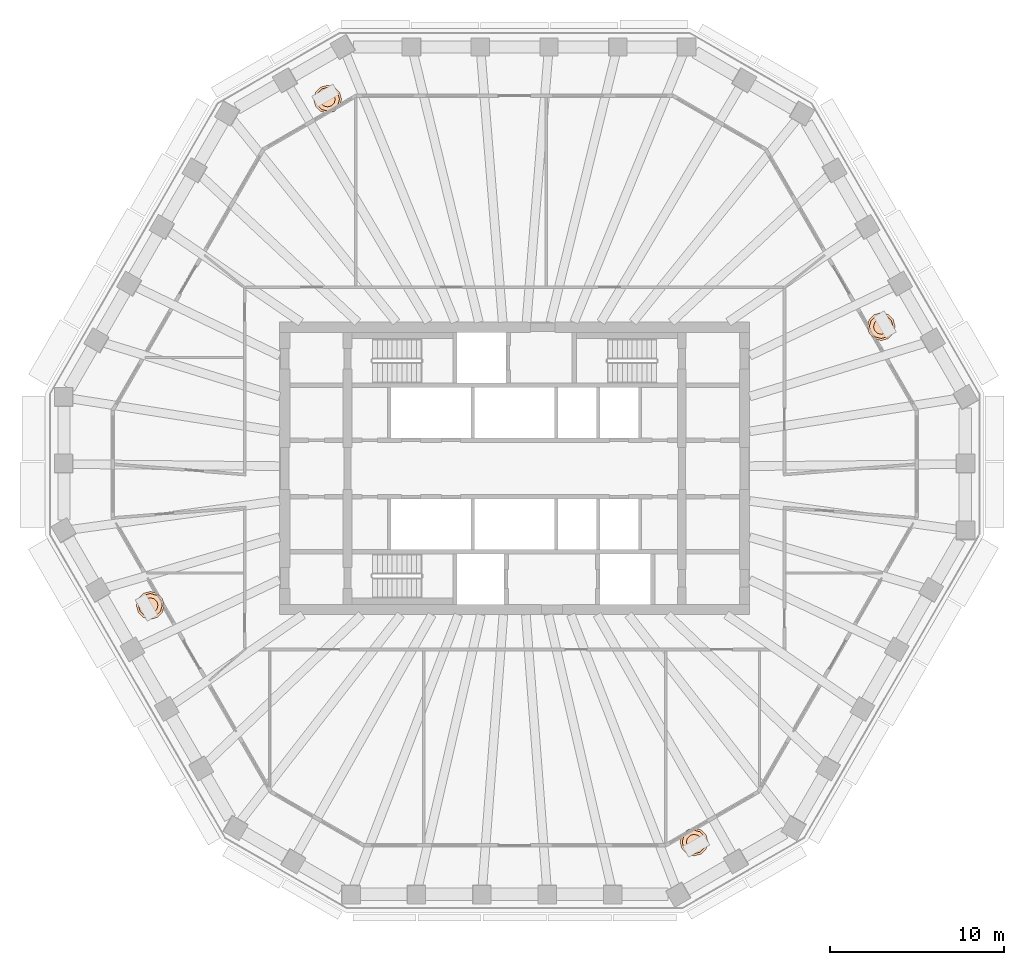
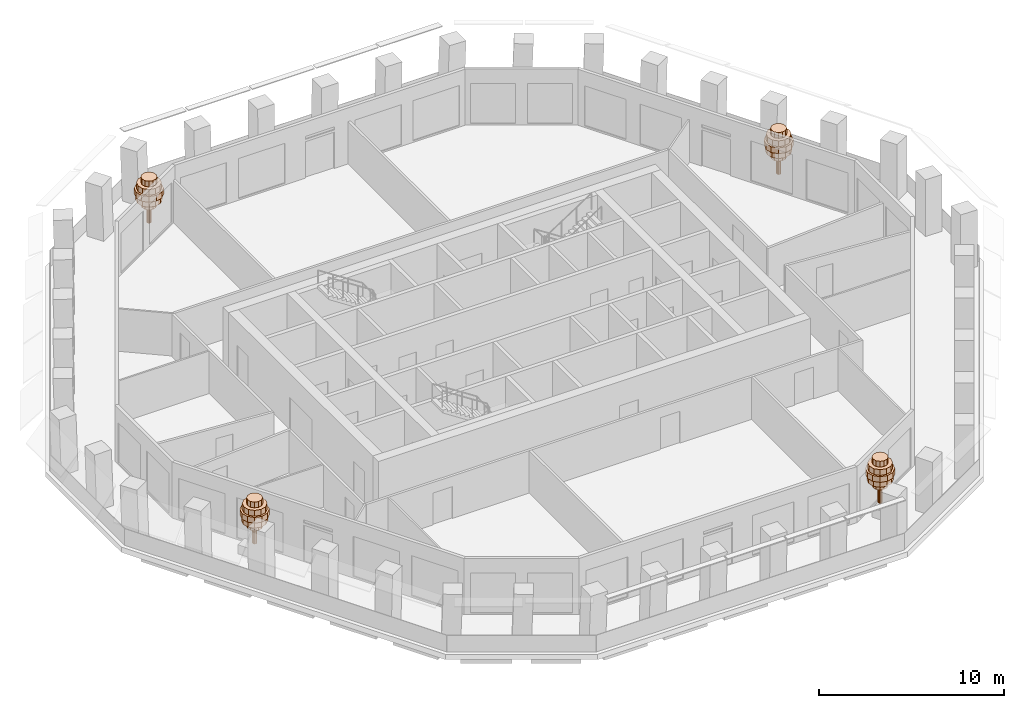
# One storey, part 12 of 12: 4 geographic elements.
"""IFC4 building model written with IfcOpenShell, lengths in metres."""

from ifc_helpers import new_model, si_unit, direction, frame, origin, place, context, subcontext, project, spatial, polyline, outline, extrude, material, type_object, element, save


model = new_model("IFC4")

# Units and contexts
model_context = context("Model", 3, precision=1e-05, world=origin(), true_north=direction((0.0, 1.0)))
body_context = subcontext(model_context, "Body", "Model", "MODEL_VIEW")
ifc_project = project(units=[si_unit("LENGTHUNIT", "METRE"), si_unit("AREAUNIT", "SQUARE_METRE"), si_unit("VOLUMEUNIT", "CUBIC_METRE"), si_unit("PLANEANGLEUNIT", "RADIAN"), si_unit("MASSUNIT", "GRAM", prefix="KILO")], contexts=[model_context])

# Site, building, storey
site_placement = place(None, origin())
site = spatial("IfcSite", under=ifc_project, at=site_placement, CompositionType="ELEMENT")
building_placement = place(site_placement, origin())
building = spatial("IfcBuilding", under=site, at=building_placement, Name="Frailejon Research Tower", CompositionType="ELEMENT")
storey_placement = place(building_placement, frame((0.0, 0.0, 219.39990234375)))
storey = spatial("IfcBuildingStorey", under=building, at=storey_placement, Name="L47", CompositionType="ELEMENT", Elevation=219.39990234375)

# Geographic elements
ifc_material = material(Name="Foliage, green")
geographic_element_type = type_object("IfcGeographicElementType", Name="Frailejon tree, loggia", PredefinedType="USERDEFINED", material=ifc_material)
geographic_element_1_placement = place(storey_placement, frame((21.050537109375, 8.142333984375, 0.60009765625)))
element("IfcGeographicElement", 1, at=geographic_element_1_placement, inside=storey, type_object=geographic_element_type, Name="Tree L47", ObjectType="TREE", PredefinedType="USERDEFINED", context=body_context, shape_type="SweptSolid", body=[
    extrude(outline(polyline([(0.1298828125, 0.0), (0.112548828125, 0.06494140625), (0.06494140625, 0.112548828125), (0.0, 0.1298828125), (-0.06494140625, 0.112548828125), (-0.112548828125, 0.06494140625), (-0.1298828125, 0.0), (-0.112548828125, -0.06494140625), (-0.06494140625, -0.112548828125), (0.0, -0.1298828125), (0.06494140625, -0.112548828125), (0.112548828125, -0.06494140625), (0.1298828125, 0.0)])), origin(), (0.0, 0.0, 1.0), 2.239990234375),
    extrude(outline(polyline([(0.43994140625, 0.0), (0.381103515625, 0.219970703125), (0.219970703125, 0.381103515625), (0.0, 0.43994140625), (-0.219970703125, 0.381103515625), (-0.381103515625, 0.219970703125), (-0.43994140625, 0.0), (-0.381103515625, -0.219970703125), (-0.219970703125, -0.381103515625), (0.0, -0.43994140625), (0.219970703125, -0.381103515625), (0.381103515625, -0.219970703125), (0.43994140625, 0.0)])), frame((0.0, 0.0, 1.10009765625)), (0.0, 0.0, 1.0), 0.3798828125),
    extrude(outline(polyline([(0.719970703125, 0.0), (0.62353515625, 0.360107421875), (0.360107421875, 0.62353515625), (0.0, 0.719970703125), (-0.360107421875, 0.62353515625), (-0.62353515625, 0.360107421875), (-0.719970703125, 0.0), (-0.62353515625, -0.360107421875), (-0.360107421875, -0.62353515625), (0.0, -0.719970703125), (0.360107421875, -0.62353515625), (0.62353515625, -0.360107421875), (0.719970703125, 0.0)])), frame((0.0, 0.0, 1.47998046875)), (0.0, 0.0, 1.0), 0.3798828125),
    extrude(outline(polyline([(0.800048828125, 0.0), (0.69287109375, 0.39990234375), (0.39990234375, 0.69287109375), (0.0, 0.800048828125), (-0.39990234375, 0.69287109375), (-0.69287109375, 0.39990234375), (-0.800048828125, 0.0), (-0.69287109375, -0.39990234375), (-0.39990234375, -0.69287109375), (0.0, -0.800048828125), (0.39990234375, -0.69287109375), (0.69287109375, -0.39990234375), (0.800048828125, 0.0)])), frame((0.0, 0.0, 1.860107421875)), (0.0, 0.0, 1.0), 0.3798828125),
    extrude(outline(polyline([(0.679931640625, 0.0), (0.5888671875, 0.340087890625), (0.340087890625, 0.5888671875), (0.0, 0.679931640625), (-0.340087890625, 0.5888671875), (-0.5888671875, 0.340087890625), (-0.679931640625, 0.0), (-0.5888671875, -0.340087890625), (-0.340087890625, -0.5888671875), (0.0, -0.679931640625), (0.340087890625, -0.5888671875), (0.5888671875, -0.340087890625), (0.679931640625, 0.0)])), frame((0.0, 0.0, 2.239990234375)), (0.0, 0.0, 1.0), 0.3798828125),
    extrude(outline(polyline([(0.43994140625, 0.0), (0.381103515625, 0.219970703125), (0.219970703125, 0.381103515625), (0.0, 0.43994140625), (-0.219970703125, 0.381103515625), (-0.381103515625, 0.219970703125), (-0.43994140625, 0.0), (-0.381103515625, -0.219970703125), (-0.219970703125, -0.381103515625), (0.0, -0.43994140625), (0.219970703125, -0.381103515625), (0.381103515625, -0.219970703125), (0.43994140625, 0.0)])), frame((0.0, 0.0, 2.6201171875)), (0.0, 0.0, 1.0), 0.3798828125),
])
geographic_element_2_placement = place(storey_placement, frame((-10.73876953125, 21.200439453125, 0.60009765625)))
element("IfcGeographicElement", 2, at=geographic_element_2_placement, inside=storey, type_object=geographic_element_type, Name="Tree L47", ObjectType="TREE", PredefinedType="USERDEFINED", context=body_context, shape_type="SweptSolid", body=[
    extrude(outline(polyline([(0.1298828125, 0.0), (0.112548828125, 0.06494140625), (0.06494140625, 0.112548828125), (0.0, 0.1298828125), (-0.06494140625, 0.112548828125), (-0.112548828125, 0.06494140625), (-0.1298828125, 0.0), (-0.112548828125, -0.06494140625), (-0.06494140625, -0.112548828125), (0.0, -0.1298828125), (0.06494140625, -0.112548828125), (0.112548828125, -0.06494140625), (0.1298828125, 0.0)])), origin(), (0.0, 0.0, 1.0), 2.239990234375),
    extrude(outline(polyline([(0.43994140625, 0.0), (0.381103515625, 0.219970703125), (0.219970703125, 0.381103515625), (0.0, 0.43994140625), (-0.219970703125, 0.381103515625), (-0.381103515625, 0.219970703125), (-0.43994140625, 0.0), (-0.381103515625, -0.219970703125), (-0.219970703125, -0.381103515625), (0.0, -0.43994140625), (0.219970703125, -0.381103515625), (0.381103515625, -0.219970703125), (0.43994140625, 0.0)])), frame((0.0, 0.0, 1.10009765625)), (0.0, 0.0, 1.0), 0.3798828125),
    extrude(outline(polyline([(0.719970703125, 0.0), (0.62353515625, 0.360107421875), (0.360107421875, 0.62353515625), (0.0, 0.719970703125), (-0.360107421875, 0.62353515625), (-0.62353515625, 0.360107421875), (-0.719970703125, 0.0), (-0.62353515625, -0.360107421875), (-0.360107421875, -0.62353515625), (0.0, -0.719970703125), (0.360107421875, -0.62353515625), (0.62353515625, -0.360107421875), (0.719970703125, 0.0)])), frame((0.0, 0.0, 1.47998046875)), (0.0, 0.0, 1.0), 0.3798828125),
    extrude(outline(polyline([(0.800048828125, 0.0), (0.69287109375, 0.39990234375), (0.39990234375, 0.69287109375), (0.0, 0.800048828125), (-0.39990234375, 0.69287109375), (-0.69287109375, 0.39990234375), (-0.800048828125, 0.0), (-0.69287109375, -0.39990234375), (-0.39990234375, -0.69287109375), (0.0, -0.800048828125), (0.39990234375, -0.69287109375), (0.69287109375, -0.39990234375), (0.800048828125, 0.0)])), frame((0.0, 0.0, 1.860107421875)), (0.0, 0.0, 1.0), 0.3798828125),
    extrude(outline(polyline([(0.679931640625, 0.0), (0.5888671875, 0.340087890625), (0.340087890625, 0.5888671875), (0.0, 0.679931640625), (-0.340087890625, 0.5888671875), (-0.5888671875, 0.340087890625), (-0.679931640625, 0.0), (-0.5888671875, -0.340087890625), (-0.340087890625, -0.5888671875), (0.0, -0.679931640625), (0.340087890625, -0.5888671875), (0.5888671875, -0.340087890625), (0.679931640625, 0.0)])), frame((0.0, 0.0, 2.239990234375)), (0.0, 0.0, 1.0), 0.3798828125),
    extrude(outline(polyline([(0.43994140625, 0.0), (0.381103515625, 0.219970703125), (0.219970703125, 0.381103515625), (0.0, 0.43994140625), (-0.219970703125, 0.381103515625), (-0.381103515625, 0.219970703125), (-0.43994140625, 0.0), (-0.381103515625, -0.219970703125), (-0.219970703125, -0.381103515625), (0.0, -0.43994140625), (0.219970703125, -0.381103515625), (0.381103515625, -0.219970703125), (0.43994140625, 0.0)])), frame((0.0, 0.0, 2.6201171875)), (0.0, 0.0, 1.0), 0.3798828125),
])
geographic_element_3_placement = place(storey_placement, frame((-20.919921875, -7.86572265625, 0.60009765625)))
element("IfcGeographicElement", 3, at=geographic_element_3_placement, inside=storey, type_object=geographic_element_type, Name="Tree L47", ObjectType="TREE", PredefinedType="USERDEFINED", context=body_context, shape_type="SweptSolid", body=[
    extrude(outline(polyline([(0.1298828125, 0.0), (0.112548828125, 0.06494140625), (0.06494140625, 0.112548828125), (0.0, 0.1298828125), (-0.06494140625, 0.112548828125), (-0.112548828125, 0.06494140625), (-0.1298828125, 0.0), (-0.112548828125, -0.06494140625), (-0.06494140625, -0.112548828125), (0.0, -0.1298828125), (0.06494140625, -0.112548828125), (0.112548828125, -0.06494140625), (0.1298828125, 0.0)])), origin(), (0.0, 0.0, 1.0), 2.239990234375),
    extrude(outline(polyline([(0.43994140625, 0.0), (0.381103515625, 0.219970703125), (0.219970703125, 0.381103515625), (0.0, 0.43994140625), (-0.219970703125, 0.381103515625), (-0.381103515625, 0.219970703125), (-0.43994140625, 0.0), (-0.381103515625, -0.219970703125), (-0.219970703125, -0.381103515625), (0.0, -0.43994140625), (0.219970703125, -0.381103515625), (0.381103515625, -0.219970703125), (0.43994140625, 0.0)])), frame((0.0, 0.0, 1.10009765625)), (0.0, 0.0, 1.0), 0.3798828125),
    extrude(outline(polyline([(0.719970703125, 0.0), (0.62353515625, 0.360107421875), (0.360107421875, 0.62353515625), (0.0, 0.719970703125), (-0.360107421875, 0.62353515625), (-0.62353515625, 0.360107421875), (-0.719970703125, 0.0), (-0.62353515625, -0.360107421875), (-0.360107421875, -0.62353515625), (0.0, -0.719970703125), (0.360107421875, -0.62353515625), (0.62353515625, -0.360107421875), (0.719970703125, 0.0)])), frame((0.0, 0.0, 1.47998046875)), (0.0, 0.0, 1.0), 0.3798828125),
    extrude(outline(polyline([(0.800048828125, 0.0), (0.69287109375, 0.39990234375), (0.39990234375, 0.69287109375), (0.0, 0.800048828125), (-0.39990234375, 0.69287109375), (-0.69287109375, 0.39990234375), (-0.800048828125, 0.0), (-0.69287109375, -0.39990234375), (-0.39990234375, -0.69287109375), (0.0, -0.800048828125), (0.39990234375, -0.69287109375), (0.69287109375, -0.39990234375), (0.800048828125, 0.0)])), frame((0.0, 0.0, 1.860107421875)), (0.0, 0.0, 1.0), 0.3798828125),
    extrude(outline(polyline([(0.679931640625, 0.0), (0.5888671875, 0.340087890625), (0.340087890625, 0.5888671875), (0.0, 0.679931640625), (-0.340087890625, 0.5888671875), (-0.5888671875, 0.340087890625), (-0.679931640625, 0.0), (-0.5888671875, -0.340087890625), (-0.340087890625, -0.5888671875), (0.0, -0.679931640625), (0.340087890625, -0.5888671875), (0.5888671875, -0.340087890625), (0.679931640625, 0.0)])), frame((0.0, 0.0, 2.239990234375)), (0.0, 0.0, 1.0), 0.3798828125),
    extrude(outline(polyline([(0.43994140625, 0.0), (0.381103515625, 0.219970703125), (0.219970703125, 0.381103515625), (0.0, 0.43994140625), (-0.219970703125, 0.381103515625), (-0.381103515625, 0.219970703125), (-0.43994140625, 0.0), (-0.381103515625, -0.219970703125), (-0.219970703125, -0.381103515625), (0.0, -0.43994140625), (0.219970703125, -0.381103515625), (0.381103515625, -0.219970703125), (0.43994140625, 0.0)])), frame((0.0, 0.0, 2.6201171875)), (0.0, 0.0, 1.0), 0.3798828125),
])
geographic_element_4_placement = place(storey_placement, frame((10.30322265625, -21.451904296875, 0.60009765625)))
element("IfcGeographicElement", 4, at=geographic_element_4_placement, inside=storey, type_object=geographic_element_type, Name="Tree L47", ObjectType="TREE", PredefinedType="USERDEFINED", context=body_context, shape_type="SweptSolid", body=[
    extrude(outline(polyline([(0.1298828125, 0.0), (0.112548828125, 0.06494140625), (0.06494140625, 0.112548828125), (0.0, 0.1298828125), (-0.06494140625, 0.112548828125), (-0.112548828125, 0.06494140625), (-0.1298828125, 0.0), (-0.112548828125, -0.06494140625), (-0.06494140625, -0.112548828125), (0.0, -0.1298828125), (0.06494140625, -0.112548828125), (0.112548828125, -0.06494140625), (0.1298828125, 0.0)])), origin(), (0.0, 0.0, 1.0), 2.239990234375),
    extrude(outline(polyline([(0.43994140625, 0.0), (0.381103515625, 0.219970703125), (0.219970703125, 0.381103515625), (0.0, 0.43994140625), (-0.219970703125, 0.381103515625), (-0.381103515625, 0.219970703125), (-0.43994140625, 0.0), (-0.381103515625, -0.219970703125), (-0.219970703125, -0.381103515625), (0.0, -0.43994140625), (0.219970703125, -0.381103515625), (0.381103515625, -0.219970703125), (0.43994140625, 0.0)])), frame((0.0, 0.0, 1.10009765625)), (0.0, 0.0, 1.0), 0.3798828125),
    extrude(outline(polyline([(0.719970703125, 0.0), (0.62353515625, 0.360107421875), (0.360107421875, 0.62353515625), (0.0, 0.719970703125), (-0.360107421875, 0.62353515625), (-0.62353515625, 0.360107421875), (-0.719970703125, 0.0), (-0.62353515625, -0.360107421875), (-0.360107421875, -0.62353515625), (0.0, -0.719970703125), (0.360107421875, -0.62353515625), (0.62353515625, -0.360107421875), (0.719970703125, 0.0)])), frame((0.0, 0.0, 1.47998046875)), (0.0, 0.0, 1.0), 0.3798828125),
    extrude(outline(polyline([(0.800048828125, 0.0), (0.69287109375, 0.39990234375), (0.39990234375, 0.69287109375), (0.0, 0.800048828125), (-0.39990234375, 0.69287109375), (-0.69287109375, 0.39990234375), (-0.800048828125, 0.0), (-0.69287109375, -0.39990234375), (-0.39990234375, -0.69287109375), (0.0, -0.800048828125), (0.39990234375, -0.69287109375), (0.69287109375, -0.39990234375), (0.800048828125, 0.0)])), frame((0.0, 0.0, 1.860107421875)), (0.0, 0.0, 1.0), 0.3798828125),
    extrude(outline(polyline([(0.679931640625, 0.0), (0.5888671875, 0.340087890625), (0.340087890625, 0.5888671875), (0.0, 0.679931640625), (-0.340087890625, 0.5888671875), (-0.5888671875, 0.340087890625), (-0.679931640625, 0.0), (-0.5888671875, -0.340087890625), (-0.340087890625, -0.5888671875), (0.0, -0.679931640625), (0.340087890625, -0.5888671875), (0.5888671875, -0.340087890625), (0.679931640625, 0.0)])), frame((0.0, 0.0, 2.239990234375)), (0.0, 0.0, 1.0), 0.3798828125),
    extrude(outline(polyline([(0.43994140625, 0.0), (0.381103515625, 0.219970703125), (0.219970703125, 0.381103515625), (0.0, 0.43994140625), (-0.219970703125, 0.381103515625), (-0.381103515625, 0.219970703125), (-0.43994140625, 0.0), (-0.381103515625, -0.219970703125), (-0.219970703125, -0.381103515625), (0.0, -0.43994140625), (0.219970703125, -0.381103515625), (0.381103515625, -0.219970703125), (0.43994140625, 0.0)])), frame((0.0, 0.0, 2.6201171875)), (0.0, 0.0, 1.0), 0.3798828125),
])

save(model, "model.ifc")
